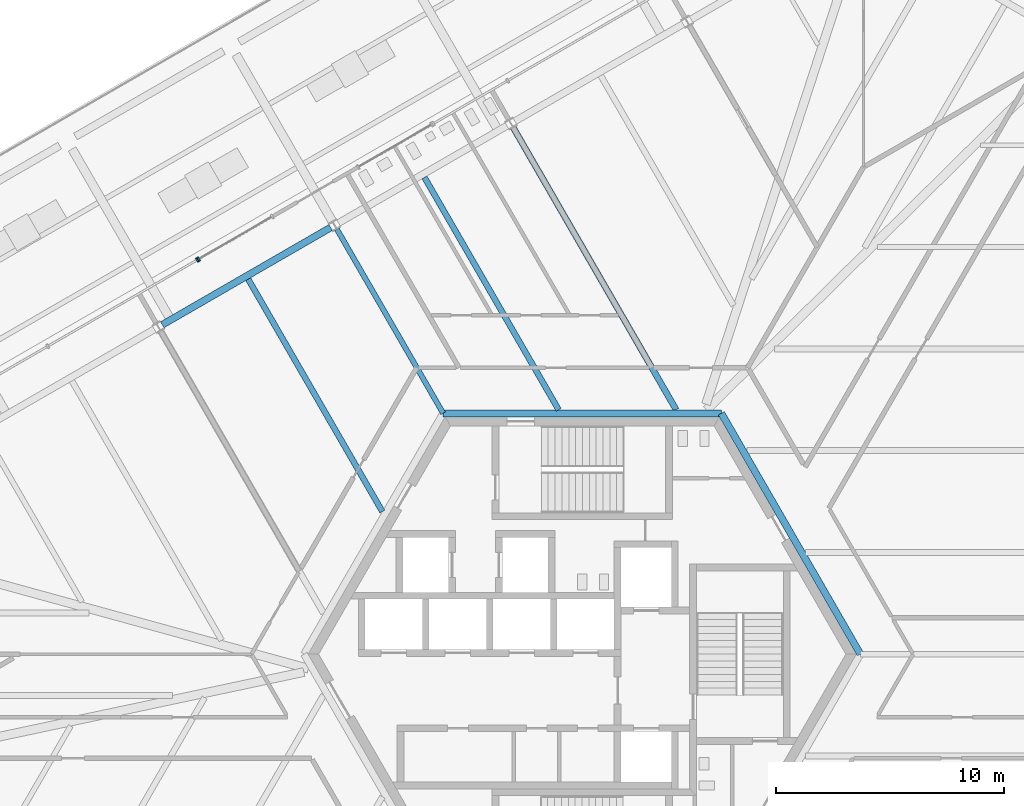
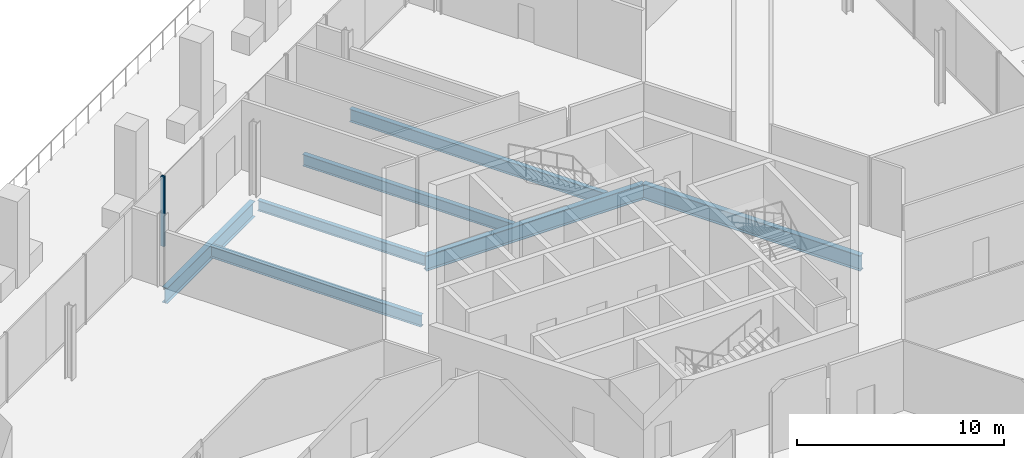
# One storey, part 9 of 38: 7 beams, 2 members, 2 elements without a shape of their own.
"""IFC4 building model written with IfcOpenShell, lengths in metres."""

from ifc_helpers import new_model, si_unit, direction, frame, origin, origin_2d, place, context, subcontext, project, spatial, rectangle, i_section, extrude, source, transform, mapped, material, material_profile, profile_set, type_object, element, aggregate, save


model = new_model("IFC4")

# Units and contexts
model_context = context("Model", 3, precision=1e-05, world=origin(), true_north=direction((0.0, 1.0)))
body_context = subcontext(model_context, "Body", "Model", "MODEL_VIEW")
ifc_project = project(units=[si_unit("LENGTHUNIT", "METRE"), si_unit("AREAUNIT", "SQUARE_METRE"), si_unit("VOLUMEUNIT", "CUBIC_METRE"), si_unit("PLANEANGLEUNIT", "RADIAN"), si_unit("MASSUNIT", "GRAM", prefix="KILO")], contexts=[model_context])

# Site, building, storey
site_placement = place(None, origin())
site = spatial("IfcSite", under=ifc_project, at=site_placement, CompositionType="ELEMENT")
building_placement = place(site_placement, origin())
building = spatial("IfcBuilding", under=site, at=building_placement, Name="Triune Harvest Tower", CompositionType="ELEMENT")
storey_placement = place(building_placement, frame((0.0, 0.0, 16.0)))
storey = spatial("IfcBuildingStorey", under=building, at=storey_placement, Name="L03", CompositionType="ELEMENT", Elevation=16.0)

# Beams
ifc_material_1 = material(Name="Steel ASTM A992 Gr 50", Category="steel")
ifc_material_profile_1 = material_profile(ifc_material_1, i_section(OverallWidth=0.3046875, OverallDepth=0.914306640625, WebThickness=0.0166015625, FlangeThickness=0.02587890625, at=origin_2d()), Name="W36x160")
ifc_profile_set_1 = profile_set([ifc_material_profile_1], Name="Steel ASTM A992 Gr 50")
beam_type_1 = type_object("IfcBeamType", Name="CG-1 Core ring girder W36x160", PredefinedType="BEAM", material=ifc_profile_set_1)
shared_shape_1 = source(origin(), body_context, "Body", "SweptSolid", [
    extrude(i_section(OverallWidth=0.3046875, OverallDepth=0.914306640625, WebThickness=0.0166015625, FlangeThickness=0.02587890625, at=origin_2d()), origin(), (0.0, 0.0, 1.0), 12.176025390625),
])
beam_1_placement = place(storey_placement, frame((12.176025390625, 0.0, -0.6572265625), z_axis=(-0.5000099932, 0.866019634131, 0.0), x_axis=(-0.866019634131, -0.5000099932, 0.0)))
element("IfcBeam", 1, at=beam_1_placement, inside=storey, type_object=beam_type_1, Name="beam/L03/CG1", PredefinedType="BEAM", context=body_context, shape_type="MappedRepresentation", body=[
    mapped(shared_shape_1, transform((0.0, 0.0, 0.0), scale=1.0)),
])
shared_shape_2 = source(origin(), body_context, "Body", "SweptSolid", [
    extrude(i_section(OverallWidth=0.3046875, OverallDepth=0.914306640625, WebThickness=0.0166015625, FlangeThickness=0.02587890625, at=origin_2d()), origin(), (0.0, 0.0, 1.0), 12.17578125),
])
beam_2_placement = place(storey_placement, frame((6.087890625, 10.544677734375, -0.6572265625), z_axis=(-1.0, 0.0, 0.0), x_axis=(0.0, -1.0, 0.0)))
element("IfcBeam", 2, at=beam_2_placement, inside=storey, type_object=beam_type_1, Name="beam/L03/CG2", PredefinedType="BEAM", context=body_context, shape_type="MappedRepresentation", body=[
    mapped(shared_shape_2, transform((0.0, 0.0, 0.0), scale=1.0)),
])
ifc_material_2 = material(Name="Steel ASTM A992 Gr 50", Category="steel")
ifc_material_profile_2 = material_profile(ifc_material_2, i_section(OverallWidth=0.2666015625, OverallDepth=0.7568359375, WebThickness=0.013916015625, FlangeThickness=0.019287109375, at=origin_2d()), Name="W30x108")
ifc_profile_set_2 = profile_set([ifc_material_profile_2], Name="Steel ASTM A992 Gr 50")
beam_type_2 = type_object("IfcBeamType", Name="JT-5 Floor joist W30x108", PredefinedType="JOIST", material=ifc_profile_set_2)
shared_shape_3 = source(origin(), body_context, "Body", "SweptSolid", [
    extrude(i_section(OverallWidth=0.2666015625, OverallDepth=0.7568359375, WebThickness=0.013916015625, FlangeThickness=0.019287109375, at=origin_2d()), origin(), (0.0, 0.0, 1.0), 14.2685546875),
])
beam_3_placement = place(storey_placement, frame((-3.02197265625, 23.053955078125, -0.57861328125), z_axis=(0.499999916269, -0.866025452127, 0.0), x_axis=(0.866025452127, 0.499999916269, 0.0)))
element("IfcBeam", 3, at=beam_3_placement, inside=storey, type_object=beam_type_2, Name="beam/L03/JT17", PredefinedType="JOIST", context=body_context, shape_type="MappedRepresentation", body=[
    mapped(shared_shape_3, transform((0.0, 0.0, 0.0), scale=1.0)),
])
ifc_material_3 = material(Name="Steel ASTM A992 Gr 50", Category="steel")
ifc_material_profile_3 = material_profile(ifc_material_3, i_section(OverallWidth=0.22900390625, OverallDepth=0.612060546875, WebThickness=0.011962890625, FlangeThickness=0.01953125, at=origin_2d()), Name="W24x84")
ifc_profile_set_3 = profile_set([ifc_material_profile_3], Name="Steel ASTM A992 Gr 50")
beam_type_3 = type_object("IfcBeamType", Name="JT-3 Floor joist W24x84", PredefinedType="JOIST", material=ifc_profile_set_3)
shared_shape_4 = source(origin(), body_context, "Body", "SweptSolid", [
    extrude(i_section(OverallWidth=0.22900390625, OverallDepth=0.612060546875, WebThickness=0.011962890625, FlangeThickness=0.01953125, at=origin_2d()), origin(), (0.0, 0.0, 1.0), 9.300537109375),
])
beam_4_placement = place(storey_placement, frame((-10.738037109375, 18.59912109375, -0.506103515625), z_axis=(0.49999285859, -0.86602952684, 0.0), x_axis=(0.86602952684, 0.49999285859, 0.0)))
element("IfcBeam", 4, at=beam_4_placement, inside=storey, type_object=beam_type_3, Name="beam/L03/JT19", PredefinedType="JOIST", context=body_context, shape_type="MappedRepresentation", body=[
    mapped(shared_shape_4, transform((0.0, 0.0, 0.0), scale=1.0)),
])
ifc_material_4 = material(Name="Steel ASTM A992 Gr 50", Category="steel")
ifc_material_profile_4 = material_profile(ifc_material_4, i_section(OverallWidth=0.3046875, OverallDepth=0.914306640625, WebThickness=0.0166015625, FlangeThickness=0.02587890625, at=origin_2d()), Name="W36x160")
ifc_profile_set_4 = profile_set([ifc_material_profile_4], Name="Steel ASTM A992 Gr 50")
beam_type_4 = type_object("IfcBeamType", Name="SB-1 Spandrel beam W36x160", PredefinedType="SPANDREL", material=ifc_profile_set_4)
shared_shape_5 = source(origin(), body_context, "Body", "SweptSolid", [
    extrude(i_section(OverallWidth=0.3046875, OverallDepth=0.914306640625, WebThickness=0.0166015625, FlangeThickness=0.02587890625, at=origin_2d()), origin(), (0.0, 0.0, 1.0), 8.506103515625),
])
beam_5_placement = place(storey_placement, frame((-11.0146484375, 18.674072265625, -0.6572265625), z_axis=(-0.866017818397, -0.500013138047, 0.0), x_axis=(0.500013138047, -0.866017818397, 0.0)))
element("IfcBeam", 5, at=beam_5_placement, inside=storey, type_object=beam_type_4, Name="beam/L03/SB12", PredefinedType="SPANDREL", context=body_context, shape_type="MappedRepresentation", body=[
    mapped(shared_shape_5, transform((0.0, 0.0, 0.0), scale=1.0)),
])
ifc_material_5 = material(Name="Steel ASTM A992 Gr 50", Category="steel")
ifc_material_profile_5 = material_profile(ifc_material_5, i_section(OverallWidth=0.253662109375, OverallDepth=0.683349609375, WebThickness=0.012451171875, FlangeThickness=0.01904296875, at=origin_2d()), Name="W27x94")
ifc_profile_set_5 = profile_set([ifc_material_profile_5], Name="Steel ASTM A992 Gr 50")
beam_type_5 = type_object("IfcBeamType", Name="JT-4 Floor joist W27x94", PredefinedType="JOIST", material=ifc_profile_set_5)
shared_shape_6 = source(origin(), body_context, "Body", "SweptSolid", [
    extrude(i_section(OverallWidth=0.253662109375, OverallDepth=0.683349609375, WebThickness=0.012451171875, FlangeThickness=0.01904296875, at=origin_2d()), origin(), (0.0, 0.0, 1.0), 11.74755859375),
])
beam_6_placement = place(storey_placement, frame((-6.905517578125, 20.87060546875, -0.54150390625), z_axis=(0.500003693016, -0.86602327161, 0.0), x_axis=(0.86602327161, 0.500003693016, 0.0)))
element("IfcBeam", 6, at=beam_6_placement, inside=storey, type_object=beam_type_5, Name="beam/L03/JT18", PredefinedType="JOIST", context=body_context, shape_type="MappedRepresentation", body=[
    mapped(shared_shape_6, transform((0.0, 0.0, 0.0), scale=1.0)),
])
shared_shape_7 = source(origin(), body_context, "Body", "SweptSolid", [
    extrude(i_section(OverallWidth=0.253662109375, OverallDepth=0.683349609375, WebThickness=0.012451171875, FlangeThickness=0.01904296875, at=origin_2d()), origin(), (0.0, 0.0, 1.0), 11.7470703125),
])
beam_7_placement = place(storey_placement, frame((-14.62158203125, 16.41552734375, -0.54150390625), z_axis=(0.49999710518, -0.866027075103, 0.0), x_axis=(0.866027075103, 0.49999710518, 0.0)))
element("IfcBeam", 7, at=beam_7_placement, inside=storey, type_object=beam_type_5, Name="beam/L03/JT20", PredefinedType="JOIST", context=body_context, shape_type="MappedRepresentation", body=[
    mapped(shared_shape_7, transform((0.0, 0.0, 0.0), scale=1.0)),
])

# Curtain wall, member
ifc_material_6 = material(Name="Aluminium bronze anodised", Category="aluminium")
curtain_wall_type_1 = type_object("IfcCurtainWallType", Name="CW-6 Balcony window wall", PredefinedType="NOTDEFINED", material=ifc_material_6)
curtain_wall_1_placement = place(storey_placement, origin())
curtain_wall_1 = element("IfcCurtainWall", 8, at=curtain_wall_1_placement, inside=storey, type_object=curtain_wall_type_1, Name="CW-6 B1-F3 L03 run 2")
ifc_material_7 = material(Name="Aluminium bronze anodised", Category="aluminium")
ifc_material_profile_6 = material_profile(ifc_material_7, rectangle(XDim=0.199951171875, YDim=0.074951171875, at=origin_2d()), Name="MU-6 mullion 75 x 200")
ifc_profile_set_6 = profile_set([ifc_material_profile_6], Name="Aluminium bronze anodised")
member_type = type_object("IfcMemberType", Name="MU-6 mullion 75 x 200", PredefinedType="MULLION", material=ifc_profile_set_6)
shared_shape_8 = source(origin(), body_context, "Body", "SweptSolid", [
    extrude(rectangle(XDim=0.199951171875, YDim=0.074951171875, at=origin_2d()), origin(), (0.0, 0.0, 1.0), 4.10009765625),
])
member_1_placement = place(storey_placement, frame((-16.788330078125, 17.294189453125, 0.0), z_axis=(0.0, 0.0, 1.0), x_axis=(0.499992896298, -0.86602950507, 0.0)))
member_1 = element("IfcMember", 9, at=member_1_placement, type_object=member_type, Name="CW-6 mullion B1-F3 2.2", PredefinedType="MULLION", context=body_context, shape_type="MappedRepresentation", body=[
    mapped(shared_shape_8, transform((0.0, 0.0, 0.0), scale=1.0)),
])
aggregate(curtain_wall_1, [member_1])

ifc_material_8 = material(Name="Aluminium bronze anodised", Category="aluminium")
curtain_wall_type_2 = type_object("IfcCurtainWallType", Name="CW-10 Balcony window wall with insulated spandrel infill", PredefinedType="NOTDEFINED", material=ifc_material_8)
curtain_wall_2_placement = place(storey_placement, origin())
curtain_wall_2 = element("IfcCurtainWall", 10, at=curtain_wall_2_placement, inside=storey, type_object=curtain_wall_type_2, Name="CW-10 B1-F3 L03 run 1002")
member_2_placement = place(storey_placement, frame((-16.853271484375, 17.2568359375, 0.0), z_axis=(0.0, 0.0, 1.0), x_axis=(0.500003685711, -0.866023275828, 0.0)))
member_2 = element("IfcMember", 11, at=member_2_placement, type_object=member_type, Name="CW-10 mullion B1-F3 1002.1", PredefinedType="MULLION", context=body_context, shape_type="MappedRepresentation", body=[
    mapped(shared_shape_8, transform((0.0, 0.0, 0.0), scale=1.0)),
])
aggregate(curtain_wall_2, [member_2])

save(model, "model.ifc")
